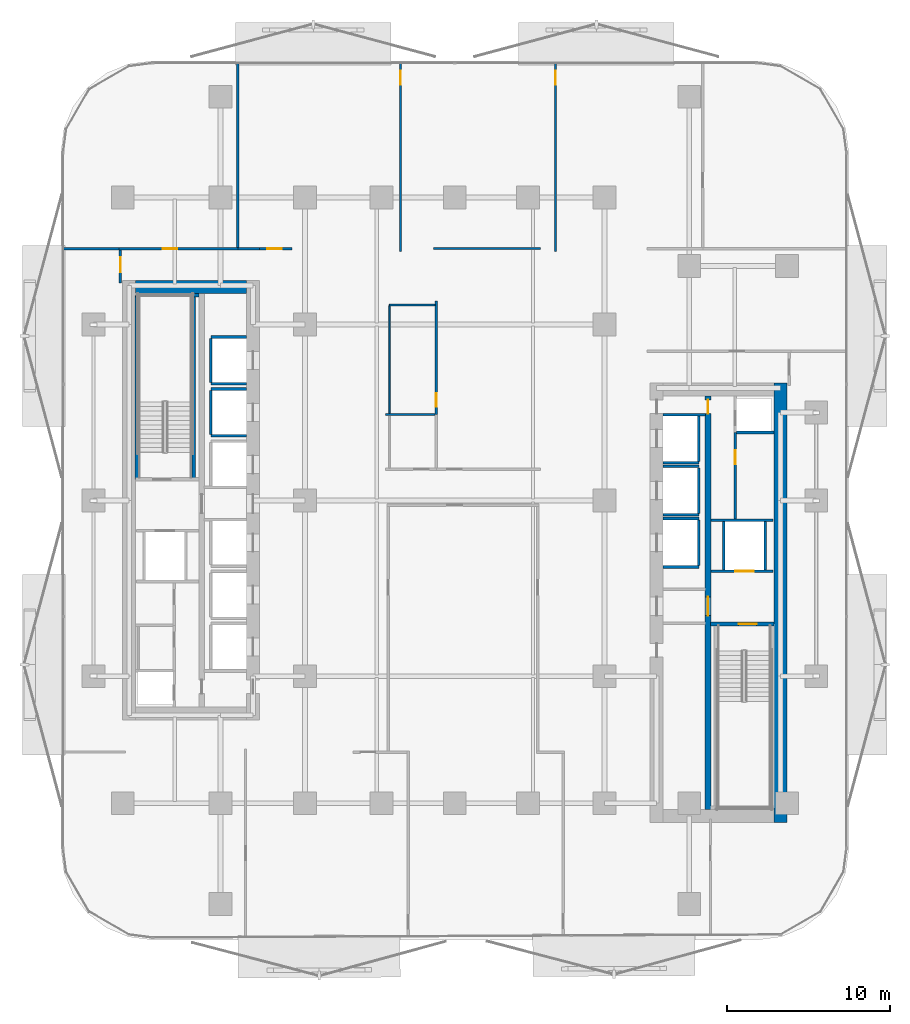
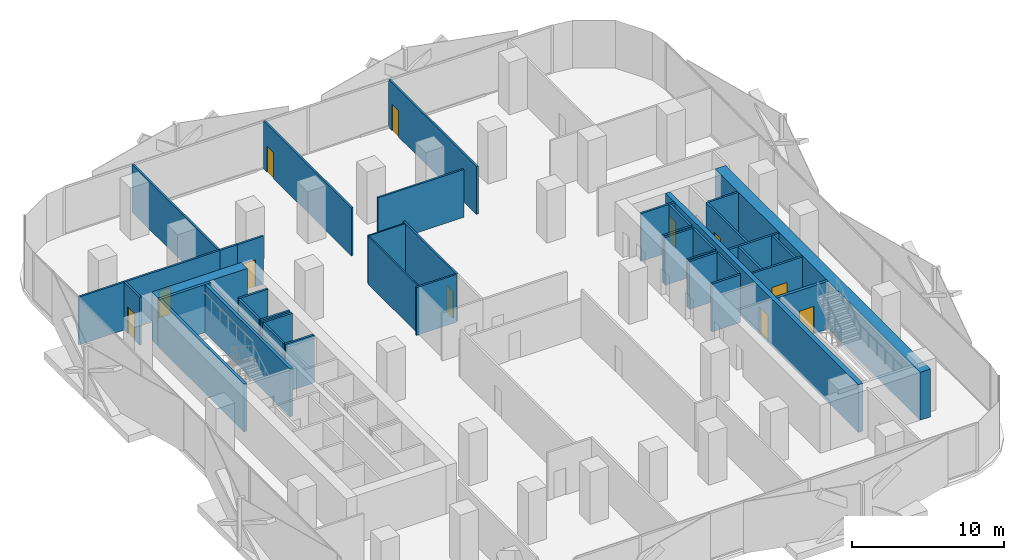
# One storey, part 5 of 16: 41 walls, 11 doors, 11 openings.
"""IFC4 building model written with IfcOpenShell, lengths in metres."""

from ifc_helpers import new_model, si_unit, direction, frame, frame_2d, origin, place, context, subcontext, project, spatial, rectangle, extrude, material, layer, layer_set, type_object, element, fill, save


model = new_model("IFC4")

# Units and contexts
model_context = context("Model", 3, precision=1e-05, world=origin(), true_north=direction((0.0, 1.0)))
body_context = subcontext(model_context, "Body", "Model", "MODEL_VIEW")
ifc_project = project(units=[si_unit("LENGTHUNIT", "METRE"), si_unit("AREAUNIT", "SQUARE_METRE"), si_unit("VOLUMEUNIT", "CUBIC_METRE"), si_unit("PLANEANGLEUNIT", "RADIAN"), si_unit("MASSUNIT", "GRAM", prefix="KILO")], contexts=[model_context])

# Site, building, storey
site_placement = place(None, origin())
site = spatial("IfcSite", under=ifc_project, at=site_placement, CompositionType="ELEMENT")
building_placement = place(site_placement, origin())
building = spatial("IfcBuilding", under=site, at=building_placement, Name="Khairoan Windgate Tower", CompositionType="ELEMENT")
storey_placement = place(building_placement, frame((0.0, 0.0, 80.60009765625)))
storey = spatial("IfcBuildingStorey", under=building, at=storey_placement, Name="L19", CompositionType="ELEMENT", Elevation=80.60009765625)

# Walls
ifc_material_1 = material(Name="Moisture-Resistant Gypsum Partition", Category="gypsum")
ifc_layer_1 = layer(ifc_material_1, 0.10009765625, Name="Moisture-Resistant Gypsum Partition")
ifc_layer_set_1 = layer_set([ifc_layer_1], Name="Moisture-Resistant Gypsum Partition")
wall_type_1 = type_object("IfcWallType", Name="Bathroom Wet-Area Partition Wall", PredefinedType="PARTITIONING", material=ifc_layer_set_1)
wall_1_placement = place(storey_placement, frame((-4.02001953125, 12.0, 0.0), z_axis=(0.0, 0.0, 1.0), x_axis=(1.0, 0.0, 0.0)))
element("IfcWall", 1, at=wall_1_placement, inside=storey, type_object=wall_type_1, Name="L19 Wet Room Side Wall 041", PredefinedType="PARTITIONING", context=body_context, shape_type="SweptSolid", body=[
    extrude(rectangle(XDim=2.81005859375, YDim=0.10009765625, at=frame_2d((1.405029296875, 0.0))), origin(), (0.0, 0.0, 1.0), 3.849853515625),
])
wall_2_placement = place(storey_placement, frame((-4.02001953125, 5.35009765625, 0.0), z_axis=(0.0, 0.0, 1.0), x_axis=(0.0, 1.0, 0.0)))
element("IfcWall", 2, at=wall_2_placement, inside=storey, type_object=wall_type_1, Name="L19 Wet Room Side Wall 042", PredefinedType="PARTITIONING", context=body_context, shape_type="SweptSolid", body=[
    extrude(rectangle(XDim=6.599853515625, YDim=0.10009765625, at=frame_2d((3.2998046875, 0.0))), origin(), (0.0, 0.0, 1.0), 3.849853515625),
])
ifc_material_2 = material(Name="Concrete C40/50", Category="concrete")
ifc_layer_2 = layer(ifc_material_2, 0.159912109375, Name="Concrete C40/50")
ifc_layer_set_2 = layer_set([ifc_layer_2], Name="Concrete C40/50")
wall_type_2 = type_object("IfcWallType", Name="Core and Hoistway Enclosure Wall", PredefinedType="STANDARD", material=ifc_layer_set_2)
for number, where, z_axis, x_axis, name in (
    (3, (-14.989990234375, 7.159912109375, 0.0), (0.0, 0.0, 1.0), (1.0, 0.0, 0.0), "L19 Lift PL1 Hoistway Divider S"),
    (4, (-14.989990234375, 10.0400390625, 0.0), (0.0, 0.0, 1.0), (1.0, 0.0, 0.0), "L19 Lift PL1 Hoistway Divider N"),
):
    element("IfcWall", number, at=place(storey_placement, frame(where, z_axis=z_axis, x_axis=x_axis)), inside=storey, type_object=wall_type_2, Name=name, PredefinedType="STANDARD", context=body_context, shape_type="SweptSolid", body=[
        extrude(rectangle(XDim=2.18994140625, YDim=0.159912109375, at=frame_2d((1.094970703125, 0.0))), origin(), (0.0, 0.0, 1.0), 3.849853515625),
    ])
wall_3_placement = place(storey_placement, frame((-14.989990234375, 7.25, 0.0), z_axis=(0.0, 0.0, 1.0), x_axis=(0.0, 1.0, 0.0)))
element("IfcWall", 5, at=wall_3_placement, inside=storey, type_object=wall_type_2, Name="L19 Lift PL1 Hoistway Back Wall", PredefinedType="STANDARD", context=body_context, shape_type="SweptSolid", body=[
    extrude(rectangle(XDim=2.699951171875, YDim=0.159912109375, at=frame_2d((1.35009765625, 0.0))), origin(), (0.0, 0.0, 1.0), 3.849853515625),
])
for number, where, z_axis, x_axis, name in (
    (6, (-14.989990234375, 3.9599609375, 0.0), (0.0, 0.0, 1.0), (1.0, 0.0, 0.0), "L19 Lift PL2 Hoistway Divider S"),
    (7, (-14.989990234375, 6.840087890625, 0.0), (0.0, 0.0, 1.0), (1.0, 0.0, 0.0), "L19 Lift PL2 Hoistway Divider N"),
):
    element("IfcWall", number, at=place(storey_placement, frame(where, z_axis=z_axis, x_axis=x_axis)), inside=storey, type_object=wall_type_2, Name=name, PredefinedType="STANDARD", context=body_context, shape_type="SweptSolid", body=[
        extrude(rectangle(XDim=2.18994140625, YDim=0.159912109375, at=frame_2d((1.094970703125, 0.0))), origin(), (0.0, 0.0, 1.0), 3.849853515625),
    ])
wall_4_placement = place(storey_placement, frame((-14.989990234375, 4.050048828125, 0.0), z_axis=(0.0, 0.0, 1.0), x_axis=(0.0, 1.0, 0.0)))
element("IfcWall", 8, at=wall_4_placement, inside=storey, type_object=wall_type_2, Name="L19 Lift PL2 Hoistway Back Wall", PredefinedType="STANDARD", context=body_context, shape_type="SweptSolid", body=[
    extrude(rectangle(XDim=2.699951171875, YDim=0.159912109375, at=frame_2d((1.35009765625, 0.0))), origin(), (0.0, 0.0, 1.0), 3.849853515625),
])
wall_5_placement = place(storey_placement, frame((12.800048828125, 2.31005859375, 0.0), z_axis=(0.0, 0.0, 1.0), x_axis=(1.0, 0.0, 0.0)))
element("IfcWall", 9, at=wall_5_placement, inside=storey, type_object=wall_type_2, Name="L19 Lift PL7 Hoistway Divider S", PredefinedType="STANDARD", context=body_context, shape_type="SweptSolid", body=[
    extrude(rectangle(XDim=2.18994140625, YDim=0.159912109375, at=frame_2d((1.094970703125, 0.0))), origin(), (0.0, 0.0, 1.0), 3.849853515625),
])
wall_6_placement = place(storey_placement, frame((14.989990234375, 2.39990234375, 0.0), z_axis=(0.0, 0.0, 1.0), x_axis=(0.0, 1.0, 0.0)))
element("IfcWall", 10, at=wall_6_placement, inside=storey, type_object=wall_type_2, Name="L19 Lift PL7 Hoistway Back Wall", PredefinedType="STANDARD", context=body_context, shape_type="SweptSolid", body=[
    extrude(rectangle(XDim=2.800048828125, YDim=0.159912109375, at=frame_2d((1.39990234375, 0.0))), origin(), (0.0, 0.0, 1.0), 3.849853515625),
])
for number, where, z_axis, x_axis, name in (
    (11, (12.800048828125, -0.889892578125, 0.0), (0.0, 0.0, 1.0), (1.0, 0.0, 0.0), "L19 Lift PL8 Hoistway Divider S"),
    (12, (12.800048828125, 2.090087890625, 0.0), (0.0, 0.0, 1.0), (1.0, 0.0, 0.0), "L19 Lift PL8 Hoistway Divider N"),
):
    element("IfcWall", number, at=place(storey_placement, frame(where, z_axis=z_axis, x_axis=x_axis)), inside=storey, type_object=wall_type_2, Name=name, PredefinedType="STANDARD", context=body_context, shape_type="SweptSolid", body=[
        extrude(rectangle(XDim=2.18994140625, YDim=0.159912109375, at=frame_2d((1.094970703125, 0.0))), origin(), (0.0, 0.0, 1.0), 3.849853515625),
    ])
wall_7_placement = place(storey_placement, frame((14.989990234375, -0.800048828125, 0.0), z_axis=(0.0, 0.0, 1.0), x_axis=(0.0, 1.0, 0.0)))
element("IfcWall", 13, at=wall_7_placement, inside=storey, type_object=wall_type_2, Name="L19 Lift PL8 Hoistway Back Wall", PredefinedType="STANDARD", context=body_context, shape_type="SweptSolid", body=[
    extrude(rectangle(XDim=2.800048828125, YDim=0.159912109375, at=frame_2d((1.39990234375, 0.0))), origin(), (0.0, 0.0, 1.0), 3.849853515625),
])
for number, where, z_axis, x_axis, name in (
    (14, (12.800048828125, -4.090087890625, 0.0), (0.0, 0.0, 1.0), (1.0, 0.0, 0.0), "L19 Lift PL9 Hoistway Divider S"),
    (15, (12.800048828125, -1.110107421875, 0.0), (0.0, 0.0, 1.0), (1.0, 0.0, 0.0), "L19 Lift PL9 Hoistway Divider N"),
):
    element("IfcWall", number, at=place(storey_placement, frame(where, z_axis=z_axis, x_axis=x_axis)), inside=storey, type_object=wall_type_2, Name=name, PredefinedType="STANDARD", context=body_context, shape_type="SweptSolid", body=[
        extrude(rectangle(XDim=2.18994140625, YDim=0.159912109375, at=frame_2d((1.094970703125, 0.0))), origin(), (0.0, 0.0, 1.0), 3.849853515625),
    ])
wall_8_placement = place(storey_placement, frame((14.989990234375, -4.0, 0.0), z_axis=(0.0, 0.0, 1.0), x_axis=(0.0, 1.0, 0.0)))
element("IfcWall", 16, at=wall_8_placement, inside=storey, type_object=wall_type_2, Name="L19 Lift PL9 Hoistway Back Wall", PredefinedType="STANDARD", context=body_context, shape_type="SweptSolid", body=[
    extrude(rectangle(XDim=2.800048828125, YDim=0.159912109375, at=frame_2d((1.39990234375, 0.0))), origin(), (0.0, 0.0, 1.0), 3.849853515625),
])

# Wall, opening, door
wall_9_placement = place(storey_placement, frame((15.75, -4.360107421875, 0.0), z_axis=(0.0, 0.0, 1.0), x_axis=(1.0, 0.0, 0.0)))
wall_9 = element("IfcWall", 17, at=wall_9_placement, inside=storey, type_object=wall_type_2, Name="L19 Core Shaft Wall SW-FL1-L19", PredefinedType="STANDARD", context=body_context, shape_type="SweptSolid", body=[
    extrude(rectangle(XDim=3.800048828125, YDim=0.159912109375, at=frame_2d((1.89990234375, 0.0))), origin(), (0.0, 0.0, 1.0), 3.849853515625),
])
opening_1_placement = place(wall_9_placement, frame((1.469970703125, 0.0, 0.0)))
opening_1 = element("IfcOpeningElement", 18, at=opening_1_placement, cuts=wall_9, Name="Opening LD-FL", PredefinedType="OPENING", context=body_context, shape_type="SweptSolid", body=[
    extrude(rectangle(XDim=1.14990234375, YDim=2.199951171875, at=frame_2d((0.574951171875, 1.10009765625))), frame((0.0, 0.08984375, 0.0), z_axis=(0.0, -1.0, 0.0), x_axis=(1.0, 0.0, 0.0)), (0.0, 0.0, 1.0), 0.179931640625),
])
ifc_material_3 = material(Name="Steel S355", Category="steel")
door_type_1 = type_object("IfcDoorType", Name="Firefighting Lift Sliding Landing Door LD-FL 1150x2200", OperationType="DOUBLE_DOOR_SLIDING", PredefinedType="DOOR", material=ifc_material_3)
door_1_placement = place(opening_1_placement, origin())
door_1 = element("IfcDoor", 19, at=door_1_placement, inside=storey, type_object=door_type_1, Name="L19 Firefighting Lift FL1 Landing Door", OperationType="DOUBLE_DOOR_SLIDING", OverallHeight=2.199951171875, OverallWidth=1.14990234375, PredefinedType="DOOR", context=body_context, shape_type="SweptSolid", body=[
    extrude(rectangle(XDim=1.14990234375, YDim=2.199951171875, at=frame_2d((0.574951171875, 1.10009765625))), frame((0.0, 0.02490234375, 0.0), z_axis=(0.0, -1.0, 0.0), x_axis=(1.0, 0.0, 0.0)), (0.0, 0.0, 1.0), 0.050048828125),
])
fill(opening_1, door_1)

# Walls
wall_10_placement = place(storey_placement, frame((15.75, -1.219970703125, 0.0), z_axis=(0.0, 0.0, 1.0), x_axis=(1.0, 0.0, 0.0)))
element("IfcWall", 20, at=wall_10_placement, inside=storey, type_object=wall_type_2, Name="L19 Core Shaft Wall SW-FL1T-L19", PredefinedType="STANDARD", context=body_context, shape_type="SweptSolid", body=[
    extrude(rectangle(XDim=3.800048828125, YDim=0.159912109375, at=frame_2d((1.89990234375, 0.0))), origin(), (0.0, 0.0, 1.0), 3.849853515625),
])
for number, where, z_axis, x_axis, name in (
    (21, (16.52001953125, -4.280029296875, 0.0), (0.0, 0.0, 1.0), (0.0, 1.0, 0.0), "L19 Core Shaft Wall SW-FL1W-L19"),
    (22, (19.080078125, -4.280029296875, 0.0), (0.0, 0.0, 1.0), (0.0, 1.0, 0.0), "L19 Core Shaft Wall SW-FL1E-L19"),
):
    element("IfcWall", number, at=place(storey_placement, frame(where, z_axis=z_axis, x_axis=x_axis)), inside=storey, type_object=wall_type_2, Name=name, PredefinedType="STANDARD", context=body_context, shape_type="SweptSolid", body=[
        extrude(rectangle(XDim=2.97998046875, YDim=0.159912109375, at=frame_2d((1.489990234375, 0.0))), origin(), (0.0, 0.0, 1.0), 3.849853515625),
    ])
wall_11_placement = place(storey_placement, frame((12.800048828125, 5.25, 0.0), z_axis=(0.0, 0.0, 1.0), x_axis=(1.0, 0.0, 0.0)))
element("IfcWall", 23, at=wall_11_placement, inside=storey, type_object=wall_type_2, Name="L19 Core Shaft Wall SW-ESV-L19", PredefinedType="STANDARD", context=body_context, shape_type="SweptSolid", body=[
    extrude(rectangle(XDim=2.599853515625, YDim=0.159912109375, at=frame_2d((1.2998046875, 0.0))), origin(), (0.0, 0.0, 1.0), 3.849853515625),
])
ifc_material_4 = material(Name="Acoustic Fire-Rated Gypsum Partition", Category="gypsum")
ifc_layer_3 = layer(ifc_material_4, 0.139892578125, Name="Acoustic Fire-Rated Gypsum Partition")
ifc_layer_set_3 = layer_set([ifc_layer_3], Name="Acoustic Fire-Rated Gypsum Partition")
wall_type_3 = type_object("IfcWallType", Name="Inter-Tenancy Compartment Wall", PredefinedType="PARTITIONING", material=ifc_layer_set_3)
wall_12_placement = place(storey_placement, frame((-24.054931640625, 15.4599609375, 0.0), z_axis=(0.0, 0.0, 1.0), x_axis=(1.0, 0.0, 0.0)))
element("IfcWall", 24, at=wall_12_placement, inside=storey, type_object=wall_type_3, Name="L19 Interior Partition 022", PredefinedType="PARTITIONING", context=body_context, shape_type="SweptSolid", body=[
    extrude(rectangle(XDim=3.4150390625, YDim=0.139892578125, at=frame_2d((1.70751953125, 0.0))), origin(), (0.0, 0.0, 1.0), 3.849853515625),
])
wall_13_placement = place(storey_placement, frame((-13.327880859375, 15.534912109375, 0.0), z_axis=(0.0, 0.0, 1.0), x_axis=(0.0, 1.0, 0.0)))
element("IfcWall", 25, at=wall_13_placement, inside=storey, type_object=wall_type_3, Name="L19 Interior Partition 027", PredefinedType="PARTITIONING", context=body_context, shape_type="SweptSolid", body=[
    extrude(rectangle(XDim=11.320068359375, YDim=0.139892578125, at=frame_2d((5.66015625, 0.0))), origin(), (0.0, 0.0, 1.0), 3.849853515625),
])

# Wall, opening, door
wall_14_placement = place(storey_placement, frame((-3.33203125, 15.280029296875, 0.0), z_axis=(0.0, 0.0, 1.0), x_axis=(0.0, 1.0, 0.0)))
wall_14 = element("IfcWall", 26, at=wall_14_placement, inside=storey, type_object=wall_type_3, Name="L19 Interior Partition 028", PredefinedType="PARTITIONING", context=body_context, shape_type="SweptSolid", body=[
    extrude(rectangle(XDim=11.574951171875, YDim=0.139892578125, at=frame_2d((5.78759765625, 0.0))), origin(), (0.0, 0.0, 1.0), 3.849853515625),
])
opening_2_placement = place(wall_14_placement, frame((10.264892578125, 0.0, 0.0)))
opening_2 = element("IfcOpeningElement", 27, at=opening_2_placement, cuts=wall_14, Name="Opening FD-SRV", PredefinedType="OPENING", context=body_context, shape_type="SweptSolid", body=[
    extrude(rectangle(XDim=0.85009765625, YDim=2.10009765625, at=frame_2d((0.425048828125, 1.050048828125))), frame((0.0, 0.079833984375, 0.0), z_axis=(0.0, -1.0, 0.0), x_axis=(1.0, 0.0, 0.0)), (0.0, 0.0, 1.0), 0.159912109375),
])
ifc_material_5 = material(Name="Steel S355", Category="steel")
door_type_2 = type_object("IfcDoorType", Name="Core Service and Riser Fire Door FD-SRV 850x2100", OperationType="NOTDEFINED", PredefinedType="DOOR", material=ifc_material_5)
door_2_placement = place(opening_2_placement, origin())
door_2 = element("IfcDoor", 28, at=door_2_placement, inside=storey, type_object=door_type_2, Name="L19 L19-39-L19-40 Door", OperationType="SINGLE_SWING_RIGHT", OverallHeight=2.10009765625, OverallWidth=0.85009765625, PredefinedType="DOOR", context=body_context, shape_type="SweptSolid", body=[
    extrude(rectangle(XDim=0.85009765625, YDim=2.10009765625, at=frame_2d((0.425048828125, 1.050048828125))), frame((0.0, 0.02490234375, 0.0), z_axis=(0.0, -1.0, 0.0), x_axis=(1.0, 0.0, 0.0)), (0.0, 0.0, 1.0), 0.050048828125),
])
fill(opening_2, door_2)

wall_15_placement = place(storey_placement, frame((6.18798828125, 15.280029296875, 0.0), z_axis=(0.0, 0.0, 1.0), x_axis=(0.0, 1.0, 0.0)))
wall_15 = element("IfcWall", 29, at=wall_15_placement, inside=storey, type_object=wall_type_3, Name="L19 Interior Partition 029", PredefinedType="PARTITIONING", context=body_context, shape_type="SweptSolid", body=[
    extrude(rectangle(XDim=11.574951171875, YDim=0.139892578125, at=frame_2d((5.78759765625, 0.0))), origin(), (0.0, 0.0, 1.0), 3.849853515625),
])
opening_3_placement = place(wall_15_placement, frame((10.264892578125, 0.0, 0.0)))
opening_3 = element("IfcOpeningElement", 30, at=opening_3_placement, cuts=wall_15, Name="Opening FD-SRV", PredefinedType="OPENING", context=body_context, shape_type="SweptSolid", body=[
    extrude(rectangle(XDim=0.85009765625, YDim=2.10009765625, at=frame_2d((0.425048828125, 1.050048828125))), frame((0.0, 0.079833984375, 0.0), z_axis=(0.0, -1.0, 0.0), x_axis=(1.0, 0.0, 0.0)), (0.0, 0.0, 1.0), 0.159912109375),
])
door_3_placement = place(opening_3_placement, origin())
door_3 = element("IfcDoor", 31, at=door_3_placement, inside=storey, type_object=door_type_2, Name="L19 L19-40-L19-41 Door", OperationType="SINGLE_SWING_LEFT", OverallHeight=2.10009765625, OverallWidth=0.85009765625, PredefinedType="DOOR", context=body_context, shape_type="SweptSolid", body=[
    extrude(rectangle(XDim=0.85009765625, YDim=2.10009765625, at=frame_2d((0.425048828125, 1.050048828125))), frame((0.0, 0.02490234375, 0.0), z_axis=(0.0, -1.0, 0.0), x_axis=(1.0, 0.0, 0.0)), (0.0, 0.0, 1.0), 0.050048828125),
])
fill(opening_3, door_3)

# Walls
wall_16_placement = place(storey_placement, frame((-1.300048828125, 15.47998046875, 0.0), z_axis=(0.0, 0.0, 1.0), x_axis=(1.0, 0.0, 0.0)))
element("IfcWall", 32, at=wall_16_placement, inside=storey, type_object=wall_type_3, Name="L19 Interior Partition 030", PredefinedType="PARTITIONING", context=body_context, shape_type="SweptSolid", body=[
    extrude(rectangle(XDim=6.56005859375, YDim=0.139892578125, at=frame_2d((3.280029296875, 0.0))), origin(), (0.0, 0.0, 1.0), 3.849853515625),
])
wall_17_placement = place(storey_placement, frame((-4.260009765625, 5.280029296875, 0.0), z_axis=(0.0, 0.0, 1.0), x_axis=(1.0, 0.0, 0.0)))
element("IfcWall", 33, at=wall_17_placement, inside=storey, type_object=wall_type_3, Name="L19 Interior Partition 036", PredefinedType="PARTITIONING", context=body_context, shape_type="SweptSolid", body=[
    extrude(rectangle(XDim=3.050048828125, YDim=0.139892578125, at=frame_2d((1.52490234375, 0.0))), origin(), (0.0, 0.0, 1.0), 3.849853515625),
])

# Wall, opening, door
wall_18_placement = place(storey_placement, frame((-1.139892578125, 5.280029296875, 0.0), z_axis=(0.0, 0.0, 1.0), x_axis=(0.0, 1.0, 0.0)))
wall_18 = element("IfcWall", 34, at=wall_18_placement, inside=storey, type_object=wall_type_3, Name="L19 Interior Partition 038", PredefinedType="PARTITIONING", context=body_context, shape_type="SweptSolid", body=[
    extrude(rectangle(XDim=6.9599609375, YDim=0.139892578125, at=frame_2d((3.47998046875, 0.0))), origin(), (0.0, 0.0, 1.0), 3.849853515625),
])
opening_4_placement = place(wall_18_placement, frame((0.4599609375, 0.0, 0.0)))
opening_4 = element("IfcOpeningElement", 35, at=opening_4_placement, cuts=wall_18, Name="Opening FD-SRV", PredefinedType="OPENING", context=body_context, shape_type="SweptSolid", body=[
    extrude(rectangle(XDim=0.85009765625, YDim=2.10009765625, at=frame_2d((0.425048828125, 1.050048828125))), frame((0.0, 0.079833984375, 0.0), z_axis=(0.0, -1.0, 0.0), x_axis=(1.0, 0.0, 0.0)), (0.0, 0.0, 1.0), 0.159912109375),
])
door_4_placement = place(opening_4_placement, origin())
door_4 = element("IfcDoor", 36, at=door_4_placement, inside=storey, type_object=door_type_2, Name="L19 L19-49-L19-50 Door", OperationType="SINGLE_SWING_LEFT", OverallHeight=2.10009765625, OverallWidth=0.85009765625, PredefinedType="DOOR", context=body_context, shape_type="SweptSolid", body=[
    extrude(rectangle(XDim=0.85009765625, YDim=2.10009765625, at=frame_2d((0.425048828125, 1.050048828125))), frame((0.0, 0.02490234375, 0.0), z_axis=(0.0, -1.0, 0.0), x_axis=(1.0, 0.0, 0.0)), (0.0, 0.0, 1.0), 0.050048828125),
])
fill(opening_4, door_4)

ifc_material_6 = material(Name="Concrete C40/50", Category="concrete")
ifc_layer_4 = layer(ifc_material_6, 0.159912109375, Name="Concrete C40/50")
ifc_layer_set_4 = layer_set([ifc_layer_4], Name="Concrete C40/50")
wall_type_4 = type_object("IfcWallType", Name="Plant and Refuge Compartment Wall", PredefinedType="PARTITIONING", material=ifc_layer_set_4)
wall_19_placement = place(storey_placement, frame((17.22998046875, -1.139892578125, 0.0), z_axis=(0.0, 0.0, 1.0), x_axis=(0.0, 1.0, 0.0)))
wall_19 = element("IfcWall", 37, at=wall_19_placement, inside=storey, type_object=wall_type_4, Name="L19 Interior Partition 007", PredefinedType="PARTITIONING", context=body_context, shape_type="SweptSolid", body=[
    extrude(rectangle(XDim=5.309814453125, YDim=0.159912109375, at=frame_2d((2.65478515625, 0.0))), origin(), (0.0, 0.0, 1.0), 3.849853515625),
])
opening_5_placement = place(wall_19_placement, frame((3.375244140625, 0.0, 0.0)))
opening_5 = element("IfcOpeningElement", 38, at=opening_5_placement, cuts=wall_19, Name="Opening FD-SRV", PredefinedType="OPENING", context=body_context, shape_type="SweptSolid", body=[
    extrude(rectangle(XDim=0.85009765625, YDim=2.10009765625, at=frame_2d((0.425048828125, 1.050048828125))), frame((0.0, 0.08984375, 0.0), z_axis=(0.0, -1.0, 0.0), x_axis=(1.0, 0.0, 0.0)), (0.0, 0.0, 1.0), 0.179931640625),
])
door_5_placement = place(opening_5_placement, origin())
door_5 = element("IfcDoor", 39, at=door_5_placement, inside=storey, type_object=door_type_2, Name="L19 L19-19-L19-21 Door", OperationType="SINGLE_SWING_RIGHT", OverallHeight=2.10009765625, OverallWidth=0.85009765625, PredefinedType="DOOR", context=body_context, shape_type="SweptSolid", body=[
    extrude(rectangle(XDim=0.85009765625, YDim=2.10009765625, at=frame_2d((0.425048828125, 1.050048828125))), frame((0.0, 0.02490234375, 0.0), z_axis=(0.0, -1.0, 0.0), x_axis=(1.0, 0.0, 0.0)), (0.0, 0.0, 1.0), 0.050048828125),
])
fill(opening_5, door_5)

# Wall
wall_20_placement = place(storey_placement, frame((17.31005859375, 4.169921875, 0.0), z_axis=(0.0, 0.0, 1.0), x_axis=(1.0, 0.0, 0.0)))
element("IfcWall", 40, at=wall_20_placement, inside=storey, type_object=wall_type_4, Name="L19 Interior Partition 008", PredefinedType="PARTITIONING", context=body_context, shape_type="SweptSolid", body=[
    extrude(rectangle(XDim=2.2900390625, YDim=0.159912109375, at=frame_2d((1.14501953125, 0.0))), origin(), (0.0, 0.0, 1.0), 3.849853515625),
])

# Wall, opening, door
ifc_material_7 = material(Name="Acoustic Fire-Rated Gypsum Partition", Category="gypsum")
ifc_layer_5 = layer(ifc_material_7, 0.14990234375, Name="Acoustic Fire-Rated Gypsum Partition")
ifc_layer_set_5 = layer_set([ifc_layer_5], Name="Acoustic Fire-Rated Gypsum Partition")
wall_type_5 = type_object("IfcWallType", Name="Rated Corridor Partition Wall", PredefinedType="PARTITIONING", material=ifc_layer_set_5)
wall_21_placement = place(storey_placement, frame((-11.989990234375, 15.4599609375, 0.0), z_axis=(0.0, 0.0, 1.0), x_axis=(1.0, 0.0, 0.0)))
wall_21 = element("IfcWall", 41, at=wall_21_placement, inside=storey, type_object=wall_type_5, Name="L19 Interior Partition 009", PredefinedType="PARTITIONING", context=body_context, shape_type="SweptSolid", body=[
    extrude(rectangle(XDim=1.97998046875, YDim=0.14990234375, at=frame_2d((0.989990234375, 0.0))), origin(), (0.0, 0.0, 1.0), 3.849853515625),
])
opening_6_placement = place(wall_21_placement, frame((0.4599609375, 0.0, 0.0)))
opening_6 = element("IfcOpeningElement", 42, at=opening_6_placement, cuts=wall_21, Name="Opening FD-ENT", PredefinedType="OPENING", context=body_context, shape_type="SweptSolid", body=[
    extrude(rectangle(XDim=0.89990234375, YDim=2.14990234375, at=frame_2d((0.449951171875, 1.074951171875))), frame((0.0, 0.0849609375, 0.0), z_axis=(0.0, -1.0, 0.0), x_axis=(1.0, 0.0, 0.0)), (0.0, 0.0, 1.0), 0.169921875),
])
ifc_material_8 = material(Name="Timber Fire-Rated Core", Category="wood")
door_type_3 = type_object("IfcDoorType", Name="Unit and Office Fire Entrance Door FD-ENT 900x2150", OperationType="NOTDEFINED", PredefinedType="DOOR", material=ifc_material_8)
door_6_placement = place(opening_6_placement, origin())
door_6 = element("IfcDoor", 43, at=door_6_placement, inside=storey, type_object=door_type_3, Name="L19 L19-28-L19-39 Door", OperationType="SINGLE_SWING_LEFT", OverallHeight=2.14990234375, OverallWidth=0.89990234375, PredefinedType="DOOR", context=body_context, shape_type="SweptSolid", body=[
    extrude(rectangle(XDim=0.89990234375, YDim=2.14990234375, at=frame_2d((0.449951171875, 1.074951171875))), frame((0.0, 0.02490234375, 0.0), z_axis=(0.0, -1.0, 0.0), x_axis=(1.0, 0.0, 0.0)), (0.0, 0.0, 1.0), 0.050048828125),
])
fill(opening_6, door_6)

wall_22_placement = place(storey_placement, frame((-20.5400390625, 13.360107421875, 0.0), z_axis=(0.0, 0.0, 1.0), x_axis=(0.0, 1.0, 0.0)))
wall_22 = element("IfcWall", 44, at=wall_22_placement, inside=storey, type_object=wall_type_5, Name="L19 Interior Partition 017", PredefinedType="PARTITIONING", context=body_context, shape_type="SweptSolid", body=[
    extrude(rectangle(XDim=2.02490234375, YDim=0.14990234375, at=frame_2d((1.012451171875, 0.0))), origin(), (0.0, 0.0, 1.0), 3.849853515625),
])
opening_7_placement = place(wall_22_placement, frame((0.6650390625, 0.0, 0.0)))
opening_7 = element("IfcOpeningElement", 45, at=opening_7_placement, cuts=wall_22, Name="Opening FD-ENT", PredefinedType="OPENING", context=body_context, shape_type="SweptSolid", body=[
    extrude(rectangle(XDim=0.89990234375, YDim=2.14990234375, at=frame_2d((0.449951171875, 1.074951171875))), frame((0.0, 0.0849609375, 0.0), z_axis=(0.0, -1.0, 0.0), x_axis=(1.0, 0.0, 0.0)), (0.0, 0.0, 1.0), 0.169921875),
])
door_7_placement = place(opening_7_placement, origin())
door_7 = element("IfcDoor", 46, at=door_7_placement, inside=storey, type_object=door_type_3, Name="L19 L19-33-L19-35 Door", OperationType="SINGLE_SWING_LEFT", OverallHeight=2.14990234375, OverallWidth=0.89990234375, PredefinedType="DOOR", context=body_context, shape_type="SweptSolid", body=[
    extrude(rectangle(XDim=0.89990234375, YDim=2.14990234375, at=frame_2d((0.449951171875, 1.074951171875))), frame((0.0, 0.02490234375, 0.0), z_axis=(0.0, -1.0, 0.0), x_axis=(1.0, 0.0, 0.0)), (0.0, 0.0, 1.0), 0.050048828125),
])
fill(opening_7, door_7)

wall_23_placement = place(storey_placement, frame((-20.639892578125, 15.4599609375, 0.0), z_axis=(0.0, 0.0, 1.0), x_axis=(1.0, 0.0, 0.0)))
wall_23 = element("IfcWall", 47, at=wall_23_placement, inside=storey, type_object=wall_type_5, Name="L19 Interior Partition 018", PredefinedType="PARTITIONING", context=body_context, shape_type="SweptSolid", body=[
    extrude(rectangle(XDim=7.31201171875, YDim=0.14990234375, at=frame_2d((3.656005859375, 0.0))), origin(), (0.0, 0.0, 1.0), 3.849853515625),
])
opening_8_placement = place(wall_23_placement, frame((2.697509765625, 0.0, 0.0)))
opening_8 = element("IfcOpeningElement", 48, at=opening_8_placement, cuts=wall_23, Name="Opening FD-ENT", PredefinedType="OPENING", context=body_context, shape_type="SweptSolid", body=[
    extrude(rectangle(XDim=0.89990234375, YDim=2.14990234375, at=frame_2d((0.449951171875, 1.074951171875))), frame((0.0, 0.0849609375, 0.0), z_axis=(0.0, -1.0, 0.0), x_axis=(1.0, 0.0, 0.0)), (0.0, 0.0, 1.0), 0.169921875),
])
door_8_placement = place(opening_8_placement, origin())
door_8 = element("IfcDoor", 49, at=door_8_placement, inside=storey, type_object=door_type_3, Name="L19 L19-33-L19-38 Door", OperationType="SINGLE_SWING_RIGHT", OverallHeight=2.14990234375, OverallWidth=0.89990234375, PredefinedType="DOOR", context=body_context, shape_type="SweptSolid", body=[
    extrude(rectangle(XDim=0.89990234375, YDim=2.14990234375, at=frame_2d((0.449951171875, 1.074951171875))), frame((0.0, 0.02490234375, 0.0), z_axis=(0.0, -1.0, 0.0), x_axis=(1.0, 0.0, 0.0)), (0.0, 0.0, 1.0), 0.050048828125),
])
fill(opening_8, door_8)

# Walls
wall_24_placement = place(storey_placement, frame((-13.327880859375, 15.4599609375, 0.0), z_axis=(0.0, 0.0, 1.0), x_axis=(1.0, 0.0, 0.0)))
element("IfcWall", 50, at=wall_24_placement, inside=storey, type_object=wall_type_5, Name="L19 Interior Partition 019", PredefinedType="PARTITIONING", context=body_context, shape_type="SweptSolid", body=[
    extrude(rectangle(XDim=1.337890625, YDim=0.14990234375, at=frame_2d((0.6689453125, 0.0))), origin(), (0.0, 0.0, 1.0), 3.849853515625),
])
ifc_material_9 = material(Name="Concrete C70/85", Category="concrete")
ifc_layer_6 = layer(ifc_material_9, 0.800048828125, Name="Concrete C70/85")
ifc_layer_set_6 = layer_set([ifc_layer_6], Name="Concrete C70/85")
wall_type_6 = type_object("IfcWallType", Name="Shear Wall CW-E1 800mm", PredefinedType="SHEAR", material=ifc_layer_set_6)
wall_25_placement = place(storey_placement, frame((20.0, -19.800048828125, 0.0), z_axis=(0.0, 0.0, 1.0), x_axis=(0.0, 1.0, 0.0)))
element("IfcWall", 51, at=wall_25_placement, inside=storey, type_object=wall_type_6, Name="E Core East Shear Wall L19", PredefinedType="SHEAR", context=body_context, shape_type="SweptSolid", body=[
    extrude(rectangle(XDim=27.0, YDim=0.800048828125, at=frame_2d((13.5, 0.0))), origin(), (0.0, 0.0, 1.0), 3.849853515625),
])
ifc_material_10 = material(Name="Concrete C70/85", Category="concrete")
ifc_layer_7 = layer(ifc_material_10, 0.800048828125, Name="Concrete C70/85")
ifc_layer_set_7 = layer_set([ifc_layer_7], Name="Concrete C70/85")
wall_type_7 = type_object("IfcWallType", Name="Shear Wall CW-W1 800mm", PredefinedType="SHEAR", material=ifc_layer_set_7)
wall_26_placement = place(storey_placement, frame((-19.60009765625, 13.10009765625, 0.0), z_axis=(0.0, 0.0, 1.0), x_axis=(1.0, 0.0, 0.0)))
element("IfcWall", 52, at=wall_26_placement, inside=storey, type_object=wall_type_7, Name="W Core North Shear Wall L19", PredefinedType="SHEAR", context=body_context, shape_type="SweptSolid", body=[
    extrude(rectangle(XDim=6.800048828125, YDim=0.800048828125, at=frame_2d((3.39990234375, 0.0))), origin(), (0.0, 0.0, 1.0), 3.849853515625),
])

# Wall, openings, doors
ifc_material_11 = material(Name="Concrete C60/75", Category="concrete")
ifc_layer_8 = layer(ifc_material_11, 0.35009765625, Name="Concrete C60/75")
ifc_layer_set_8 = layer_set([ifc_layer_8], Name="Concrete C60/75")
wall_type_8 = type_object("IfcWallType", Name="Shear Wall SW-1 350mm", PredefinedType="SHEAR", material=ifc_layer_set_8)
wall_27_placement = place(storey_placement, frame((15.550048828125, -19.0, 0.0), z_axis=(0.0, 0.0, 1.0), x_axis=(0.0, 1.0, 0.0)))
wall_27 = element("IfcWall", 53, at=wall_27_placement, inside=storey, type_object=wall_type_8, Name="E Core Spine Shear Wall L19", PredefinedType="SHEAR", context=body_context, shape_type="SweptSolid", body=[
    extrude(rectangle(XDim=25.39990234375, YDim=0.35009765625, at=frame_2d((12.699951171875, 0.0))), origin(), (0.0, 0.0, 1.0), 3.849853515625),
])
opening_9_placement = place(wall_27_placement, frame((11.925048828125, 0.0, 0.0)))
opening_9 = element("IfcOpeningElement", 54, at=opening_9_placement, cuts=wall_27, Name="Opening FD-FFL", PredefinedType="OPENING", context=body_context, shape_type="SweptSolid", body=[
    extrude(rectangle(XDim=1.14990234375, YDim=2.199951171875, at=frame_2d((0.574951171875, 1.10009765625))), frame((0.0, 0.18505859375, 0.0), z_axis=(0.0, -1.0, 0.0), x_axis=(1.0, 0.0, 0.0)), (0.0, 0.0, 1.0), 0.3701171875),
])
opening_10_placement = place(wall_27_placement, frame((24.324951171875, 0.0, 0.0)))
opening_10 = element("IfcOpeningElement", 55, at=opening_10_placement, cuts=wall_27, Name="Opening FD-SRV", PredefinedType="OPENING", context=body_context, shape_type="SweptSolid", body=[
    extrude(rectangle(XDim=0.85009765625, YDim=2.10009765625, at=frame_2d((0.425048828125, 1.050048828125))), frame((0.0, 0.18505859375, 0.0), z_axis=(0.0, -1.0, 0.0), x_axis=(1.0, 0.0, 0.0)), (0.0, 0.0, 1.0), 0.3701171875),
])
door_9_placement = place(opening_10_placement, origin())
door_9 = element("IfcDoor", 56, at=door_9_placement, inside=storey, type_object=door_type_2, Name="L19 East Core Service Passage Inner Door", OperationType="SINGLE_SWING_LEFT", OverallHeight=2.10009765625, OverallWidth=0.85009765625, PredefinedType="DOOR", context=body_context, shape_type="SweptSolid", body=[
    extrude(rectangle(XDim=0.85009765625, YDim=2.10009765625, at=frame_2d((0.425048828125, 1.050048828125))), frame((0.0, 0.02490234375, 0.0), z_axis=(0.0, -1.0, 0.0), x_axis=(1.0, 0.0, 0.0)), (0.0, 0.0, 1.0), 0.050048828125),
])
fill(opening_10, door_9)
ifc_material_12 = material(Name="Steel S355", Category="steel")
door_type_4 = type_object("IfcDoorType", Name="Firefighting Lobby Fire Door FD-FFL 1150x2200", OperationType="NOTDEFINED", PredefinedType="DOOR", material=ifc_material_12)
door_10_placement = place(opening_9_placement, origin())
door_10 = element("IfcDoor", 57, at=door_10_placement, inside=storey, type_object=door_type_4, Name="L19 East Firefighting Lobby Fire Door", OperationType="SINGLE_SWING_LEFT", OverallHeight=2.199951171875, OverallWidth=1.14990234375, PredefinedType="DOOR", context=body_context, shape_type="SweptSolid", body=[
    extrude(rectangle(XDim=1.14990234375, YDim=2.199951171875, at=frame_2d((0.574951171875, 1.10009765625))), frame((0.0, 0.02490234375, 0.0), z_axis=(0.0, -1.0, 0.0), x_axis=(1.0, 0.0, 0.0)), (0.0, 0.0, 1.0), 0.050048828125),
])
fill(opening_9, door_10)

# Wall, opening, door
ifc_material_13 = material(Name="Concrete C50/60", Category="concrete")
ifc_layer_9 = layer(ifc_material_13, 0.219970703125, Name="Concrete C50/60")
ifc_layer_set_9 = layer_set([ifc_layer_9], Name="Concrete C50/60")
wall_type_9 = type_object("IfcWallType", Name="Shear Wall SW-ST 220mm", PredefinedType="SHEAR", material=ifc_layer_set_9)
wall_28_placement = place(storey_placement, frame((19.6201171875, -7.590087890625, 0.0), z_axis=(0.0, 0.0, 1.0), x_axis=(-1.0, 0.0, 0.0)))
wall_28 = element("IfcWall", 58, at=wall_28_placement, inside=storey, type_object=wall_type_9, Name="L19 Stair ST1 North Bearing Wall", PredefinedType="SHEAR", context=body_context, shape_type="SweptSolid", body=[
    extrude(rectangle(XDim=3.9150390625, YDim=0.219970703125, at=frame_2d((1.95751953125, 0.0))), origin(), (0.0, 0.0, 1.0), 3.849853515625),
])
opening_11_placement = place(wall_28_placement, frame((1.080078125, 0.0, 0.0)))
opening_11 = element("IfcOpeningElement", 59, at=opening_11_placement, cuts=wall_28, Name="Opening FD-ST", PredefinedType="OPENING", context=body_context, shape_type="SweptSolid", body=[
    extrude(rectangle(XDim=1.10009765625, YDim=2.199951171875, at=frame_2d((0.550048828125, 1.10009765625))), frame((0.0, 0.119873046875, 0.0), z_axis=(0.0, -1.0, 0.0), x_axis=(1.0, 0.0, 0.0)), (0.0, 0.0, 1.0), 0.239990234375),
])
ifc_material_14 = material(Name="Steel S355", Category="steel")
door_type_5 = type_object("IfcDoorType", Name="Smokeproof Stair Fire Door FD-ST 1100x2200", OperationType="NOTDEFINED", PredefinedType="DOOR", material=ifc_material_14)
door_11_placement = place(opening_11_placement, origin())
door_11 = element("IfcDoor", 60, at=door_11_placement, inside=storey, type_object=door_type_5, Name="L19 Stair ST1 Fire Door", OperationType="SINGLE_SWING_LEFT", OverallHeight=2.199951171875, OverallWidth=1.10009765625, PredefinedType="DOOR", context=body_context, shape_type="SweptSolid", body=[
    extrude(rectangle(XDim=1.10009765625, YDim=2.199951171875, at=frame_2d((0.550048828125, 1.10009765625))), frame((0.0, 0.02490234375, 0.0), z_axis=(0.0, -1.0, 0.0), x_axis=(1.0, 0.0, 0.0)), (0.0, 0.0, 1.0), 0.050048828125),
])
fill(opening_11, door_11)

# Walls
for number, where, z_axis, x_axis, name in (
    (61, (-16.0400390625, 1.2900390625, 0.0), (0.0, 0.0, 1.0), (0.0, 1.0, 0.0), "L19 Stair ST2 East Bearing Wall"),
    (62, (-19.530029296875, 1.2900390625, 0.0), (0.0, 0.0, 1.0), (0.0, 1.0, 0.0), "L19 Stair ST2 West Bearing Wall"),
):
    element("IfcWall", number, at=place(storey_placement, frame(where, z_axis=z_axis, x_axis=x_axis)), inside=storey, type_object=wall_type_9, Name=name, PredefinedType="SHEAR", context=body_context, shape_type="SweptSolid", body=[
        extrude(rectangle(XDim=11.300048828125, YDim=0.219970703125, at=frame_2d((5.64990234375, 0.0))), origin(), (0.0, 0.0, 1.0), 3.849853515625),
    ])
wall_29_placement = place(storey_placement, frame((-19.6201171875, 12.590087890625, 0.0), z_axis=(0.0, 0.0, 1.0), x_axis=(1.0, 0.0, 0.0)))
element("IfcWall", 63, at=wall_29_placement, inside=storey, type_object=wall_type_9, Name="L19 Stair ST2 North Bearing Wall", PredefinedType="SHEAR", context=body_context, shape_type="SweptSolid", body=[
    extrude(rectangle(XDim=3.9150390625, YDim=0.219970703125, at=frame_2d((1.95751953125, 0.0))), origin(), (0.0, 0.0, 1.0), 3.849853515625),
])

save(model, "model.ifc")
